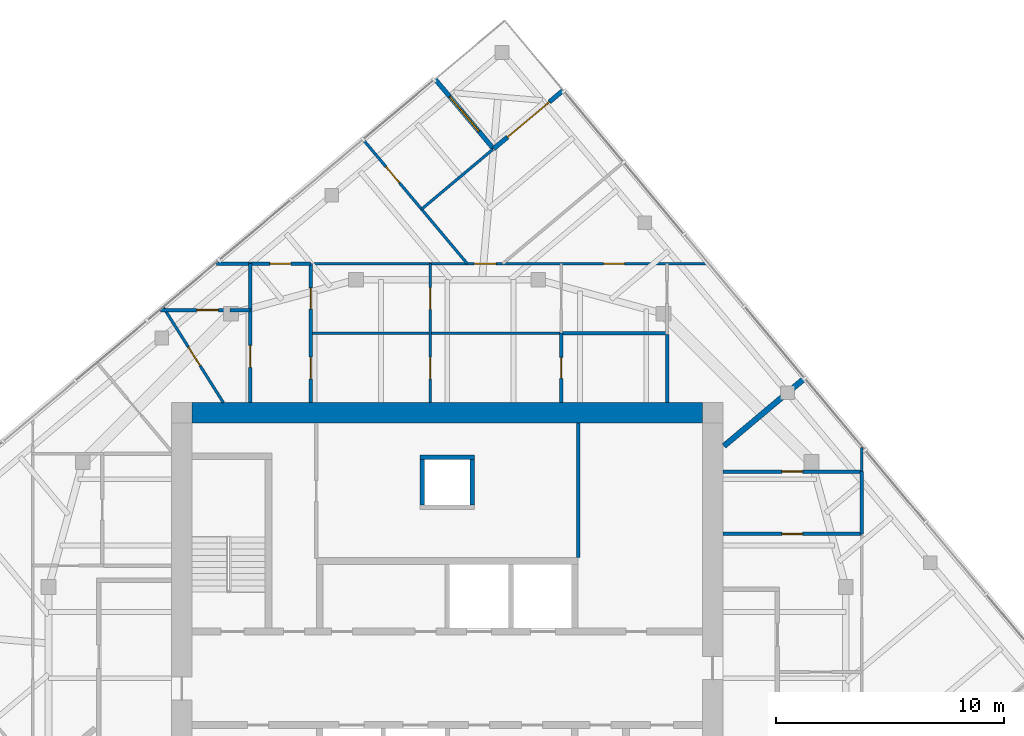
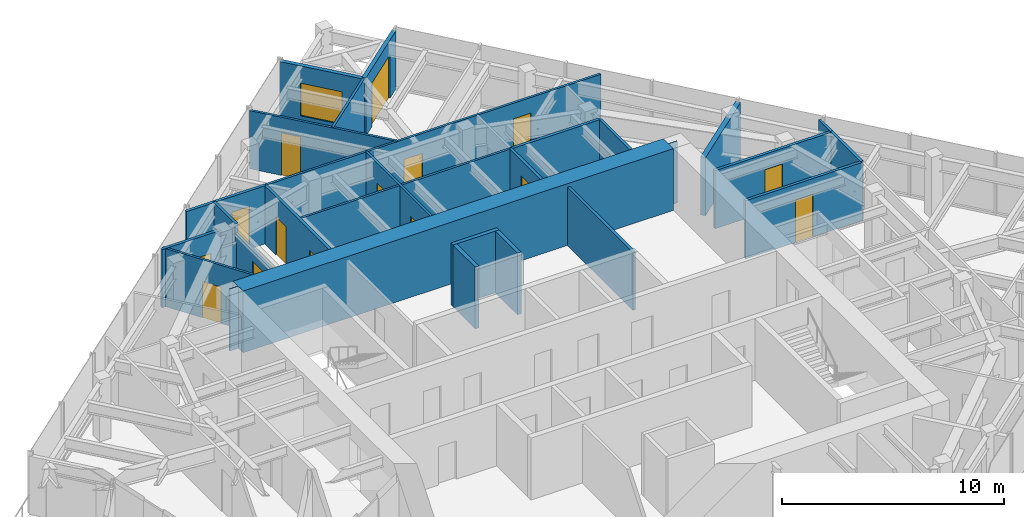
# One storey, part 10 of 12: 27 walls, 15 doors, 1 window, 16 openings.
"""IFC4 building model written with IfcOpenShell, lengths in metres."""

from ifc_helpers import new_model, si_unit, direction, frame, frame_2d, origin, place, context, subcontext, project, spatial, polyline, rectangle, outline, extrude, material, layer, layer_set, type_object, element, fill, save


model = new_model("IFC4")

# Units and contexts
model_context = context("Model", 3, precision=1e-05, world=origin(), true_north=direction((0.0, 1.0)))
body_context = subcontext(model_context, "Body", "Model", "MODEL_VIEW")
ifc_project = project(units=[si_unit("LENGTHUNIT", "METRE"), si_unit("AREAUNIT", "SQUARE_METRE"), si_unit("VOLUMEUNIT", "CUBIC_METRE"), si_unit("PLANEANGLEUNIT", "RADIAN"), si_unit("MASSUNIT", "GRAM", prefix="KILO")], contexts=[model_context])

# Site, building, storey
site_placement = place(None, origin())
site = spatial("IfcSite", under=ifc_project, at=site_placement, CompositionType="ELEMENT")
building_placement = place(site_placement, origin())
building = spatial("IfcBuilding", under=site, at=building_placement, Name="Torsade Residences", CompositionType="ELEMENT")
storey_placement = place(building_placement, frame((0.0, 0.0, 296.39990234375)))
storey = spatial("IfcBuildingStorey", under=building, at=storey_placement, Name="L82", CompositionType="ELEMENT", Elevation=296.39990234375)

# Walls
ifc_material_1 = material(Name="Concrete 80 MPa", Category="concrete")
ifc_layer_1 = layer(ifc_material_1, 0.89990234375)
ifc_layer_set_1 = layer_set([ifc_layer_1], Name="Concrete 80 MPa")
wall_type_1 = type_object("IfcWallType", Name="CORE WALL 900", PredefinedType="SHEAR", material=ifc_layer_set_1)
wall_1_placement = place(storey_placement, frame((28.800048828125, 41.64990234375, 0.0), z_axis=(0.0, 0.0, 1.0), x_axis=(1.0, 0.0, 0.0)))
element("IfcWall", 1, at=wall_1_placement, inside=storey, type_object=wall_type_1, Name="Core wall N L82", PredefinedType="SHEAR", context=body_context, shape_type="SweptSolid", body=[
    extrude(outline(polyline([(0.0, -0.449951171875), (22.39990234375, -0.449951171875), (22.39990234375, -0.02490234375), (22.849853515625, -0.02490234375), (22.849853515625, 0.02490234375), (22.39990234375, 0.02490234375), (22.39990234375, 0.449951171875), (0.0, 0.449951171875), (0.0, 0.02490234375), (-0.449951171875, 0.02490234375), (-0.449951171875, -0.02490234375), (0.0, -0.02490234375), (0.0, -0.449951171875)])), origin(), (0.0, 0.0, 1.0), 3.400146484375),
])
ifc_material_2 = material(Name="Plasterboard on steel stud", Category="steel")
ifc_layer_2 = layer(ifc_material_2, 0.1201171875)
ifc_layer_set_2 = layer_set([ifc_layer_2], Name="Plasterboard on steel stud")
wall_type_2 = type_object("IfcWallType", Name="PARTITION 120", PredefinedType="PARTITIONING", material=ifc_layer_set_2)
wall_2_placement = place(storey_placement, frame((58.199951171875, 40.14013671875, 0.0), z_axis=(0.0, 0.0, 1.0), x_axis=(0.0, -1.0, 0.0)))
element("IfcWall", 2, at=wall_2_placement, inside=storey, type_object=wall_type_2, Name="Partition L82", PredefinedType="PARTITIONING", context=body_context, shape_type="SweptSolid", body=[
    extrude(rectangle(XDim=1.064453125, YDim=0.1201171875, at=frame_2d((0.5322265625, 0.0))), origin(), (0.0, 0.0, 1.0), 3.2001953125),
])
wall_3_placement = place(storey_placement, frame((34.00048828125, 45.14990234375, 0.0), z_axis=(0.0, 0.0, 1.0), x_axis=(1.0, 0.0, 0.0)))
element("IfcWall", 3, at=wall_3_placement, inside=storey, type_object=wall_type_2, Name="Partition L82", PredefinedType="PARTITIONING", context=body_context, shape_type="SweptSolid", body=[
    extrude(rectangle(XDim=11.0029296875, YDim=0.1201171875, at=frame_2d((5.50146484375, 0.0))), origin(), (0.0, 0.0, 1.0), 3.2001953125),
])

# Wall, openings, doors
wall_4_placement = place(storey_placement, frame((39.260498046875, 48.199951171875, 0.0), z_axis=(0.0, 0.0, 1.0), x_axis=(0.0, -1.0, 0.0)))
wall_4 = element("IfcWall", 4, at=wall_4_placement, inside=storey, type_object=wall_type_2, Name="Partition L82", PredefinedType="PARTITIONING", context=body_context, shape_type="SweptSolid", body=[
    extrude(rectangle(XDim=6.099853515625, YDim=0.1201171875, at=frame_2d((3.0498046875, 0.0))), origin(), (0.0, 0.0, 1.0), 3.2001953125),
])
opening_1_placement = place(wall_4_placement, frame((1.044921875, 0.0, 0.0)))
opening_1 = element("IfcOpeningElement", 5, at=opening_1_placement, cuts=wall_4, Name="Opening D05", PredefinedType="OPENING", context=body_context, shape_type="SweptSolid", body=[
    extrude(rectangle(XDim=0.9599609375, YDim=2.10009765625, at=frame_2d((0.47998046875, 1.050048828125))), frame((0.0, 0.070068359375, 0.0), z_axis=(0.0, -1.0, 0.0), x_axis=(1.0, 0.0, 0.0)), (0.0, 0.0, 1.0), 0.14013671875),
])
opening_2_placement = place(wall_4_placement, frame((4.094970703125, 0.0, 0.0)))
opening_2 = element("IfcOpeningElement", 6, at=opening_2_placement, cuts=wall_4, Name="Opening D05", PredefinedType="OPENING", context=body_context, shape_type="SweptSolid", body=[
    extrude(rectangle(XDim=0.9599609375, YDim=2.10009765625, at=frame_2d((0.47998046875, 1.050048828125))), frame((0.0, 0.070068359375, 0.0), z_axis=(0.0, -1.0, 0.0), x_axis=(1.0, 0.0, 0.0)), (0.0, 0.0, 1.0), 0.14013671875),
])
ifc_material_3 = material(Name="Hollow-core timber door in a steel cavity frame", Category="steel")
door_type_1 = type_object("IfcDoorType", Name="BATHROOM CAVITY SLIDING DOOR 960", OperationType="SLIDING_TO_LEFT", PredefinedType="DOOR", material=ifc_material_3)
door_1_placement = place(opening_1_placement, origin())
door_1 = element("IfcDoor", 7, at=door_1_placement, inside=storey, type_object=door_type_1, Name="Door Dressing room to Ensuite", OperationType="SLIDING_TO_LEFT", OverallHeight=2.10009765625, OverallWidth=0.9599609375, PredefinedType="DOOR", context=body_context, shape_type="SweptSolid", body=[
    extrude(rectangle(XDim=0.9599609375, YDim=2.10009765625, at=frame_2d((0.47998046875, 1.050048828125))), frame((0.0, 0.02490234375, 0.0), z_axis=(0.0, -1.0, 0.0), x_axis=(1.0, 0.0, 0.0)), (0.0, 0.0, 1.0), 0.050048828125),
])
fill(opening_1, door_1)
door_2_placement = place(opening_2_placement, origin())
door_2 = element("IfcDoor", 8, at=door_2_placement, inside=storey, type_object=door_type_1, Name="Door Bathroom to Dressing room 4", OperationType="SLIDING_TO_LEFT", OverallHeight=2.10009765625, OverallWidth=0.9599609375, PredefinedType="DOOR", context=body_context, shape_type="SweptSolid", body=[
    extrude(rectangle(XDim=0.9599609375, YDim=2.10009765625, at=frame_2d((0.47998046875, 1.050048828125))), frame((0.0, 0.02490234375, 0.0), z_axis=(0.0, -1.0, 0.0), x_axis=(1.0, 0.0, 0.0)), (0.0, 0.0, 1.0), 0.050048828125),
])
fill(opening_2, door_2)

wall_5_placement = place(storey_placement, frame((34.00048828125, 48.199951171875, 0.0), z_axis=(0.0, 0.0, 1.0), x_axis=(1.0, 0.0, 0.0)))
wall_5 = element("IfcWall", 9, at=wall_5_placement, inside=storey, type_object=wall_type_2, Name="Partition L82", PredefinedType="PARTITIONING", context=body_context, shape_type="SweptSolid", body=[
    extrude(rectangle(XDim=17.4365234375, YDim=0.1201171875, at=frame_2d((8.71826171875, 0.0))), origin(), (0.0, 0.0, 1.0), 3.2001953125),
])
opening_3_placement = place(wall_5_placement, frame((7.18603515625, 0.0, 0.0)))
opening_3 = element("IfcOpeningElement", 10, at=opening_3_placement, cuts=wall_5, Name="Opening D05", PredefinedType="OPENING", context=body_context, shape_type="SweptSolid", body=[
    extrude(rectangle(XDim=0.9599609375, YDim=2.10009765625, at=frame_2d((0.47998046875, 1.050048828125))), frame((0.0, 0.070068359375, 0.0), z_axis=(0.0, -1.0, 0.0), x_axis=(1.0, 0.0, 0.0)), (0.0, 0.0, 1.0), 0.14013671875),
])
opening_4_placement = place(wall_5_placement, frame((12.8671875, 0.0, 0.0)))
opening_4 = element("IfcOpeningElement", 11, at=opening_4_placement, cuts=wall_5, Name="Opening D02", PredefinedType="OPENING", context=body_context, shape_type="SweptSolid", body=[
    extrude(rectangle(XDim=0.919921875, YDim=2.340087890625, at=frame_2d((0.4599609375, 1.169921875))), frame((0.0, 0.070068359375, 0.0), z_axis=(0.0, -1.0, 0.0), x_axis=(1.0, 0.0, 0.0)), (0.0, 0.0, 1.0), 0.14013671875),
])
door_3_placement = place(opening_3_placement, origin())
door_3 = element("IfcDoor", 12, at=door_3_placement, inside=storey, type_object=door_type_1, Name="Door Ensuite to Bedroom 2", OperationType="SLIDING_TO_LEFT", OverallHeight=2.10009765625, OverallWidth=0.9599609375, PredefinedType="DOOR", context=body_context, shape_type="SweptSolid", body=[
    extrude(rectangle(XDim=0.9599609375, YDim=2.10009765625, at=frame_2d((0.47998046875, 1.050048828125))), frame((0.0, 0.02490234375, 0.0), z_axis=(0.0, -1.0, 0.0), x_axis=(1.0, 0.0, 0.0)), (0.0, 0.0, 1.0), 0.050048828125),
])
fill(opening_3, door_3)
ifc_material_4 = material(Name="Hollow-core timber door", Category="wood")
door_type_2 = type_object("IfcDoorType", Name="INTERNAL DOOR 920x2340", OperationType="NOTDEFINED", PredefinedType="DOOR", material=ifc_material_4)
door_4_placement = place(opening_4_placement, origin())
door_4 = element("IfcDoor", 13, at=door_4_placement, inside=storey, type_object=door_type_2, Name="Door Walk-in robe to Bedroom 4", OperationType="SINGLE_SWING_LEFT", OverallHeight=2.340087890625, OverallWidth=0.919921875, PredefinedType="DOOR", context=body_context, shape_type="SweptSolid", body=[
    extrude(rectangle(XDim=0.919921875, YDim=2.340087890625, at=frame_2d((0.4599609375, 1.169921875))), frame((0.0, 0.02490234375, 0.0), z_axis=(0.0, -1.0, 0.0), x_axis=(1.0, 0.0, 0.0)), (0.0, 0.0, 1.0), 0.050048828125),
])
fill(opening_4, door_4)

# Wall, opening, door
wall_6_placement = place(storey_placement, frame((30.171875, 42.10009765625, 0.0), z_axis=(0.0, 0.0, 1.0), x_axis=(-0.532913303443, 0.846169847616, 0.0)))
wall_6 = element("IfcWall", 14, at=wall_6_placement, inside=storey, type_object=wall_type_2, Name="Partition L82", PredefinedType="PARTITIONING", context=body_context, shape_type="SweptSolid", body=[
    extrude(rectangle(XDim=4.91943359375, YDim=0.1201171875, at=frame_2d((2.459716796875, 0.0))), origin(), (0.0, 0.0, 1.0), 3.2001953125),
])
opening_5_placement = place(wall_6_placement, frame((1.923095703125, 0.0, 0.0)))
opening_5 = element("IfcOpeningElement", 15, at=opening_5_placement, cuts=wall_6, Name="Opening D05N", PredefinedType="OPENING", context=body_context, shape_type="SweptSolid", body=[
    extrude(rectangle(XDim=0.9599609375, YDim=2.0, at=frame_2d((0.47998046875, 1.0))), frame((0.0, 0.070068359375, 0.0), z_axis=(0.0, -1.0, 0.0), x_axis=(1.0, 0.0, 0.0)), (0.0, 0.0, 1.0), 0.14013671875),
])
ifc_material_5 = material(Name="Hollow-core timber door in a steel cavity frame", Category="steel")
door_type_3 = type_object("IfcDoorType", Name="BATHROOM CAVITY SLIDING DOOR 960x2000", OperationType="SLIDING_TO_LEFT", PredefinedType="DOOR", material=ifc_material_5)
door_5_placement = place(opening_5_placement, origin())
door_5 = element("IfcDoor", 16, at=door_5_placement, inside=storey, type_object=door_type_3, Name="Door WC 2 to WC", OperationType="SLIDING_TO_LEFT", OverallHeight=2.0, OverallWidth=0.9599609375, PredefinedType="DOOR", context=body_context, shape_type="SweptSolid", body=[
    extrude(rectangle(XDim=0.9599609375, YDim=2.0, at=frame_2d((0.47998046875, 1.0))), frame((0.0, 0.02490234375, 0.0), z_axis=(0.0, -1.0, 0.0), x_axis=(1.0, 0.0, 0.0)), (0.0, 0.0, 1.0), 0.050048828125),
])
fill(opening_5, door_5)

wall_7_placement = place(storey_placement, frame((40.8828125, 48.199951171875, 0.0), z_axis=(0.0, 0.0, 1.0), x_axis=(-0.642790379821, 0.766042118691, 0.0)))
wall_7 = element("IfcWall", 17, at=wall_7_placement, inside=storey, type_object=wall_type_2, Name="Partition L82", PredefinedType="PARTITIONING", context=body_context, shape_type="SweptSolid", body=[
    extrude(rectangle(XDim=7.08544921875, YDim=0.1201171875, at=frame_2d((3.542724609375, 0.0))), origin(), (0.0, 0.0, 1.0), 3.2001953125),
])
opening_6_placement = place(wall_7_placement, frame((4.640380859375, 0.0, 0.0)))
opening_6 = element("IfcOpeningElement", 18, at=opening_6_placement, cuts=wall_7, Name="Opening D02", PredefinedType="OPENING", context=body_context, shape_type="SweptSolid", body=[
    extrude(rectangle(XDim=0.919921875, YDim=2.340087890625, at=frame_2d((0.4599609375, 1.169921875))), frame((0.0, 0.070068359375, 0.0), z_axis=(0.0, -1.0, 0.0), x_axis=(1.0, 0.0, 0.0)), (0.0, 0.0, 1.0), 0.14013671875),
])
door_6_placement = place(opening_6_placement, origin())
door_6 = element("IfcDoor", 19, at=door_6_placement, inside=storey, type_object=door_type_2, Name="Door Bedroom 3 to Bedroom 5", OperationType="SINGLE_SWING_LEFT", OverallHeight=2.340087890625, OverallWidth=0.919921875, PredefinedType="DOOR", context=body_context, shape_type="SweptSolid", body=[
    extrude(rectangle(XDim=0.919921875, YDim=2.340087890625, at=frame_2d((0.4599609375, 1.169921875))), frame((0.0, 0.02490234375, 0.0), z_axis=(0.0, -1.0, 0.0), x_axis=(1.0, 0.0, 0.0)), (0.0, 0.0, 1.0), 0.050048828125),
])
fill(opening_6, door_6)

# Walls
wall_8_placement = place(storey_placement, frame((38.873779296875, 50.59423828125, 0.0), z_axis=(0.0, 0.0, 1.0), x_axis=(0.766061483953, 0.642767300664, 0.0)))
element("IfcWall", 20, at=wall_8_placement, inside=storey, type_object=wall_type_2, Name="Partition L82", PredefinedType="PARTITIONING", context=body_context, shape_type="SweptSolid", body=[
    extrude(rectangle(XDim=4.0849609375, YDim=0.1201171875, at=frame_2d((2.04248046875, 0.0))), origin(), (0.0, 0.0, 1.0), 3.2001953125),
])
ifc_material_6 = material(Name="Masonry-lined stud party wall", Category="masonry")
ifc_layer_3 = layer(ifc_material_6, 0.25)
ifc_layer_set_3 = layer_set([ifc_layer_3], Name="Masonry-lined stud party wall")
wall_type_3 = type_object("IfcWallType", Name="PARTY WALL 250", PredefinedType="PARTITIONING", material=ifc_layer_set_3)
wall_9_placement = place(storey_placement, frame((55.703857421875, 43.17724609375, 0.0), z_axis=(0.0, 0.0, 1.0), x_axis=(-0.76603440109, -0.64279957712, 0.0)))
element("IfcWall", 21, at=wall_9_placement, inside=storey, type_object=wall_type_3, Name="Party wall L82", PredefinedType="PARTITIONING", context=body_context, shape_type="SweptSolid", body=[
    extrude(rectangle(XDim=4.6396484375, YDim=0.25, at=frame_2d((2.31982421875, 0.0))), origin(), (0.0, 0.0, 1.0), 3.2001953125),
])
ifc_material_7 = material(Name="Reinforced blockwork", Category="masonry")
ifc_layer_4 = layer(ifc_material_7, 0.199951171875)
ifc_layer_set_4 = layer_set([ifc_layer_4], Name="Reinforced blockwork")
wall_type_4 = type_object("IfcWallType", Name="RISER SHAFT WALL 200", PredefinedType="SOLIDWALL", material=ifc_layer_set_4)
for number, where, z_axis, x_axis, name in (
    (22, (38.89990234375, 37.60009765625, 0.0), (0.0, 0.0, 1.0), (0.0, 1.0, 0.0), "Core wall RS1a L82"),
    (23, (41.10009765625, 37.60009765625, 0.0), (0.0, 0.0, 1.0), (0.0, 1.0, 0.0), "Core wall RS1b L82"),
):
    element("IfcWall", number, at=place(storey_placement, frame(where, z_axis=z_axis, x_axis=x_axis)), inside=storey, type_object=wall_type_4, Name=name, PredefinedType="SOLIDWALL", context=body_context, shape_type="SweptSolid", body=[
        extrude(rectangle(XDim=2.0, YDim=0.199951171875, at=frame_2d((1.0, 0.0))), origin(), (0.0, 0.0, 1.0), 3.400146484375),
    ])
wall_10_placement = place(storey_placement, frame((38.800048828125, 39.699951171875, 0.0), z_axis=(0.0, 0.0, 1.0), x_axis=(1.0, 0.0, 0.0)))
element("IfcWall", 24, at=wall_10_placement, inside=storey, type_object=wall_type_4, Name="Core wall RS1d L82", PredefinedType="SOLIDWALL", context=body_context, shape_type="SweptSolid", body=[
    extrude(rectangle(XDim=2.39990234375, YDim=0.199951171875, at=frame_2d((1.199951171875, 0.0))), origin(), (0.0, 0.0, 1.0), 3.400146484375),
])
ifc_material_8 = material(Name="Reinforced blockwork", Category="masonry")
ifc_layer_5 = layer(ifc_material_8, 0.14990234375)
ifc_layer_set_5 = layer_set([ifc_layer_5], Name="Reinforced blockwork")
wall_type_5 = type_object("IfcWallType", Name="SERVICE ROOM WALL 150", PredefinedType="SOLIDWALL", material=ifc_layer_set_5)
wall_11_placement = place(storey_placement, frame((45.75, 41.199951171875, 0.0), z_axis=(0.0, 0.0, 1.0), x_axis=(0.0, -1.0, 0.0)))
element("IfcWall", 25, at=wall_11_placement, inside=storey, type_object=wall_type_5, Name="Service room wall L82", PredefinedType="SOLIDWALL", context=body_context, shape_type="SweptSolid", body=[
    extrude(rectangle(XDim=5.89990234375, YDim=0.14990234375, at=frame_2d((2.949951171875, 0.0))), origin(), (0.0, 0.0, 1.0), 3.2001953125),
])

# Wall, opening, door
wall_12_placement = place(storey_placement, frame((52.10009765625, 36.33544921875, 0.0), z_axis=(0.0, 0.0, 1.0), x_axis=(1.0, 0.0, 0.0)))
wall_12 = element("IfcWall", 26, at=wall_12_placement, inside=storey, type_object=wall_type_5, Name="Service room wall L82", PredefinedType="SOLIDWALL", context=body_context, shape_type="SweptSolid", body=[
    extrude(rectangle(XDim=6.099853515625, YDim=0.14990234375, at=frame_2d((3.0498046875, 0.0))), origin(), (0.0, 0.0, 1.0), 3.2001953125),
])
opening_7_placement = place(wall_12_placement, frame((2.590087890625, 0.0, 0.0)))
opening_7 = element("IfcOpeningElement", 27, at=opening_7_placement, cuts=wall_12, Name="Opening D02", PredefinedType="OPENING", context=body_context, shape_type="SweptSolid", body=[
    extrude(rectangle(XDim=0.919921875, YDim=2.340087890625, at=frame_2d((0.4599609375, 1.169921875))), frame((0.0, 0.0849609375, 0.0), z_axis=(0.0, -1.0, 0.0), x_axis=(1.0, 0.0, 0.0)), (0.0, 0.0, 1.0), 0.169921875),
])
door_7_placement = place(opening_7_placement, origin())
door_7 = element("IfcDoor", 28, at=door_7_placement, inside=storey, type_object=door_type_2, Name="Door Kitchen and dining to Linen store 2", OperationType="SINGLE_SWING_RIGHT", OverallHeight=2.340087890625, OverallWidth=0.919921875, PredefinedType="DOOR", context=body_context, shape_type="SweptSolid", body=[
    extrude(rectangle(XDim=0.919921875, YDim=2.340087890625, at=frame_2d((0.4599609375, 1.169921875))), frame((0.0, 0.02490234375, 0.0), z_axis=(0.0, -1.0, 0.0), x_axis=(1.0, 0.0, 0.0)), (0.0, 0.0, 1.0), 0.050048828125),
])
fill(opening_7, door_7)

wall_13_placement = place(storey_placement, frame((58.199951171875, 39.07568359375, 0.0), z_axis=(0.0, 0.0, 1.0), x_axis=(-1.0, 0.0, 0.0)))
wall_13 = element("IfcWall", 29, at=wall_13_placement, inside=storey, type_object=wall_type_5, Name="Service room wall L82", PredefinedType="SOLIDWALL", context=body_context, shape_type="SweptSolid", body=[
    extrude(rectangle(XDim=6.099853515625, YDim=0.14990234375, at=frame_2d((3.0498046875, 0.0))), origin(), (0.0, 0.0, 1.0), 3.2001953125),
])
opening_8_placement = place(wall_13_placement, frame((2.590087890625, 0.0, 0.0)))
opening_8 = element("IfcOpeningElement", 30, at=opening_8_placement, cuts=wall_13, Name="Opening D02", PredefinedType="OPENING", context=body_context, shape_type="SweptSolid", body=[
    extrude(rectangle(XDim=0.919921875, YDim=2.340087890625, at=frame_2d((0.4599609375, 1.169921875))), frame((0.0, 0.0849609375, 0.0), z_axis=(0.0, -1.0, 0.0), x_axis=(1.0, 0.0, 0.0)), (0.0, 0.0, 1.0), 0.169921875),
])
door_8_placement = place(opening_8_placement, origin())
door_8 = element("IfcDoor", 31, at=door_8_placement, inside=storey, type_object=door_type_2, Name="Door Linen store 2 to Study", OperationType="SINGLE_SWING_LEFT", OverallHeight=2.340087890625, OverallWidth=0.919921875, PredefinedType="DOOR", context=body_context, shape_type="SweptSolid", body=[
    extrude(rectangle(XDim=0.919921875, YDim=2.340087890625, at=frame_2d((0.4599609375, 1.169921875))), frame((0.0, 0.02490234375, 0.0), z_axis=(0.0, -1.0, 0.0), x_axis=(1.0, 0.0, 0.0)), (0.0, 0.0, 1.0), 0.050048828125),
])
fill(opening_8, door_8)

# Wall
wall_14_placement = place(storey_placement, frame((58.199951171875, 39.07568359375, 0.0), z_axis=(0.0, 0.0, 1.0), x_axis=(0.0, -1.0, 0.0)))
element("IfcWall", 32, at=wall_14_placement, inside=storey, type_object=wall_type_5, Name="Service room wall L82", PredefinedType="SOLIDWALL", context=body_context, shape_type="SweptSolid", body=[
    extrude(rectangle(XDim=2.740234375, YDim=0.14990234375, at=frame_2d((1.3701171875, 0.0))), origin(), (0.0, 0.0, 1.0), 3.2001953125),
])

# Wall, openings, doors
wall_15_placement = place(storey_placement, frame((34.00048828125, 42.10009765625, 0.0), z_axis=(0.0, 0.0, 1.0), x_axis=(0.0, 1.0, 0.0)))
wall_15 = element("IfcWall", 33, at=wall_15_placement, inside=storey, type_object=wall_type_5, Name="Service room wall L82", PredefinedType="SOLIDWALL", context=body_context, shape_type="SweptSolid", body=[
    extrude(rectangle(XDim=6.099853515625, YDim=0.14990234375, at=frame_2d((3.0498046875, 0.0))), origin(), (0.0, 0.0, 1.0), 3.2001953125),
])
opening_9_placement = place(wall_15_placement, frame((4.114990234375, 0.0, 0.0)))
opening_9 = element("IfcOpeningElement", 34, at=opening_9_placement, cuts=wall_15, Name="Opening D02L", PredefinedType="OPENING", context=body_context, shape_type="SweptSolid", body=[
    extrude(rectangle(XDim=0.919921875, YDim=2.10009765625, at=frame_2d((0.4599609375, 1.050048828125))), frame((0.0, 0.0849609375, 0.0), z_axis=(0.0, -1.0, 0.0), x_axis=(1.0, 0.0, 0.0)), (0.0, 0.0, 1.0), 0.169921875),
])
opening_10_placement = place(wall_15_placement, frame((1.044921875, 0.0, 0.0)))
opening_10 = element("IfcOpeningElement", 35, at=opening_10_placement, cuts=wall_15, Name="Opening D05", PredefinedType="OPENING", context=body_context, shape_type="SweptSolid", body=[
    extrude(rectangle(XDim=0.9599609375, YDim=2.10009765625, at=frame_2d((0.47998046875, 1.050048828125))), frame((0.0, 0.0849609375, 0.0), z_axis=(0.0, -1.0, 0.0), x_axis=(1.0, 0.0, 0.0)), (0.0, 0.0, 1.0), 0.169921875),
])
door_9_placement = place(opening_10_placement, origin())
door_9 = element("IfcDoor", 36, at=door_9_placement, inside=storey, type_object=door_type_1, Name="Door Linen store to Bathroom", OperationType="SLIDING_TO_LEFT", OverallHeight=2.10009765625, OverallWidth=0.9599609375, PredefinedType="DOOR", context=body_context, shape_type="SweptSolid", body=[
    extrude(rectangle(XDim=0.9599609375, YDim=2.10009765625, at=frame_2d((0.47998046875, 1.050048828125))), frame((0.0, 0.02490234375, 0.0), z_axis=(0.0, -1.0, 0.0), x_axis=(1.0, 0.0, 0.0)), (0.0, 0.0, 1.0), 0.050048828125),
])
fill(opening_10, door_9)
ifc_material_9 = material(Name="Hollow-core timber door", Category="wood")
door_type_4 = type_object("IfcDoorType", Name="INTERNAL DOOR 920x2100", OperationType="NOTDEFINED", PredefinedType="DOOR", material=ifc_material_9)
door_10_placement = place(opening_9_placement, origin())
door_10 = element("IfcDoor", 37, at=door_10_placement, inside=storey, type_object=door_type_4, Name="Door Linen store to Dressing room", OperationType="SINGLE_SWING_RIGHT", OverallHeight=2.10009765625, OverallWidth=0.919921875, PredefinedType="DOOR", context=body_context, shape_type="SweptSolid", body=[
    extrude(rectangle(XDim=0.919921875, YDim=2.10009765625, at=frame_2d((0.4599609375, 1.050048828125))), frame((0.0, 0.02490234375, 0.0), z_axis=(0.0, -1.0, 0.0), x_axis=(1.0, 0.0, 0.0)), (0.0, 0.0, 1.0), 0.050048828125),
])
fill(opening_9, door_10)

# Wall
wall_16_placement = place(storey_placement, frame((31.34423828125, 48.199951171875, 0.0), z_axis=(0.0, 0.0, 1.0), x_axis=(0.0, -1.0, 0.0)))
element("IfcWall", 38, at=wall_16_placement, inside=storey, type_object=wall_type_5, Name="Service room wall L82", PredefinedType="SOLIDWALL", context=body_context, shape_type="SweptSolid", body=[
    extrude(rectangle(XDim=1.991943359375, YDim=0.14990234375, at=frame_2d((0.99609375, 0.0))), origin(), (0.0, 0.0, 1.0), 3.2001953125),
])

# Wall, opening, door
wall_17_placement = place(storey_placement, frame((31.34423828125, 46.2080078125, 0.0), z_axis=(0.0, 0.0, 1.0), x_axis=(0.0, -1.0, 0.0)))
wall_17 = element("IfcWall", 39, at=wall_17_placement, inside=storey, type_object=wall_type_5, Name="Service room wall L82", PredefinedType="SOLIDWALL", context=body_context, shape_type="SweptSolid", body=[
    extrude(rectangle(XDim=4.10791015625, YDim=0.14990234375, at=frame_2d((2.053955078125, 0.0))), origin(), (0.0, 0.0, 1.0), 2.672119140625),
])
opening_11_placement = place(wall_17_placement, frame((1.5947265625, 0.0, 0.0)))
opening_11 = element("IfcOpeningElement", 40, at=opening_11_placement, cuts=wall_17, Name="Opening D05", PredefinedType="OPENING", context=body_context, shape_type="SweptSolid", body=[
    extrude(rectangle(XDim=0.9599609375, YDim=2.10009765625, at=frame_2d((0.47998046875, 1.050048828125))), frame((0.0, 0.0849609375, 0.0), z_axis=(0.0, -1.0, 0.0), x_axis=(1.0, 0.0, 0.0)), (0.0, 0.0, 1.0), 0.169921875),
])
door_11_placement = place(opening_11_placement, origin())
door_11 = element("IfcDoor", 41, at=door_11_placement, inside=storey, type_object=door_type_1, Name="Door WC to Linen store", OperationType="SLIDING_TO_LEFT", OverallHeight=2.10009765625, OverallWidth=0.9599609375, PredefinedType="DOOR", context=body_context, shape_type="SweptSolid", body=[
    extrude(rectangle(XDim=0.9599609375, YDim=2.10009765625, at=frame_2d((0.47998046875, 1.050048828125))), frame((0.0, 0.02490234375, 0.0), z_axis=(0.0, -1.0, 0.0), x_axis=(1.0, 0.0, 0.0)), (0.0, 0.0, 1.0), 0.050048828125),
])
fill(opening_11, door_11)

wall_18_placement = place(storey_placement, frame((27.414306640625, 46.166748046875, 0.0), z_axis=(0.0, 0.0, 1.0), x_axis=(1.0, 0.0, 0.0)))
wall_18 = element("IfcWall", 42, at=wall_18_placement, inside=storey, type_object=wall_type_5, Name="Service room wall L82", PredefinedType="SOLIDWALL", context=body_context, shape_type="SweptSolid", body=[
    extrude(rectangle(XDim=3.046142578125, YDim=0.14990234375, at=frame_2d((1.52294921875, 0.0))), origin(), (0.0, 0.0, 1.0), 3.2001953125),
])
opening_12_placement = place(wall_18_placement, frame((1.583251953125, 0.0, 0.0)))
opening_12 = element("IfcOpeningElement", 43, at=opening_12_placement, cuts=wall_18, Name="Opening D05", PredefinedType="OPENING", context=body_context, shape_type="SweptSolid", body=[
    extrude(rectangle(XDim=0.9599609375, YDim=2.10009765625, at=frame_2d((0.47998046875, 1.050048828125))), frame((0.0, 0.0849609375, 0.0), z_axis=(0.0, -1.0, 0.0), x_axis=(1.0, 0.0, 0.0)), (0.0, 0.0, 1.0), 0.169921875),
])
door_12_placement = place(opening_12_placement, origin())
door_12 = element("IfcDoor", 44, at=door_12_placement, inside=storey, type_object=door_type_1, Name="Door WC to Linen store 4", OperationType="SLIDING_TO_LEFT", OverallHeight=2.10009765625, OverallWidth=0.9599609375, PredefinedType="DOOR", context=body_context, shape_type="SweptSolid", body=[
    extrude(rectangle(XDim=0.9599609375, YDim=2.10009765625, at=frame_2d((0.47998046875, 1.050048828125))), frame((0.0, 0.02490234375, 0.0), z_axis=(0.0, -1.0, 0.0), x_axis=(1.0, 0.0, 0.0)), (0.0, 0.0, 1.0), 0.050048828125),
])
fill(opening_12, door_12)

# Wall
wall_19_placement = place(storey_placement, frame((30.46044921875, 46.166748046875, 0.0), z_axis=(0.0, 0.0, 1.0), x_axis=(1.0, 0.0, 0.0)))
element("IfcWall", 45, at=wall_19_placement, inside=storey, type_object=wall_type_5, Name="Service room wall L82", PredefinedType="SOLIDWALL", context=body_context, shape_type="SweptSolid", body=[
    extrude(rectangle(XDim=0.8837890625, YDim=0.14990234375, at=frame_2d((0.44189453125, 0.0))), origin(), (0.0, 0.0, 1.0), 2.2001953125),
])

# Wall, opening, door
wall_20_placement = place(storey_placement, frame((29.85986328125, 48.199951171875, 0.0), z_axis=(0.0, 0.0, 1.0), x_axis=(1.0, 0.0, 0.0)))
wall_20 = element("IfcWall", 46, at=wall_20_placement, inside=storey, type_object=wall_type_5, Name="Service room wall L82", PredefinedType="SOLIDWALL", context=body_context, shape_type="SweptSolid", body=[
    extrude(rectangle(XDim=4.140625, YDim=0.14990234375, at=frame_2d((2.0703125, 0.0))), origin(), (0.0, 0.0, 1.0), 3.2001953125),
])
opening_13_placement = place(wall_20_placement, frame((2.3525390625, 0.0, 0.0)))
opening_13 = element("IfcOpeningElement", 47, at=opening_13_placement, cuts=wall_20, Name="Opening D02", PredefinedType="OPENING", context=body_context, shape_type="SweptSolid", body=[
    extrude(rectangle(XDim=0.919921875, YDim=2.340087890625, at=frame_2d((0.4599609375, 1.169921875))), frame((0.0, 0.0849609375, 0.0), z_axis=(0.0, -1.0, 0.0), x_axis=(1.0, 0.0, 0.0)), (0.0, 0.0, 1.0), 0.169921875),
])
door_13_placement = place(opening_13_placement, origin())
door_13 = element("IfcDoor", 48, at=door_13_placement, inside=storey, type_object=door_type_2, Name="Door Linen store to Bedroom 3", OperationType="SINGLE_SWING_RIGHT", OverallHeight=2.340087890625, OverallWidth=0.919921875, PredefinedType="DOOR", context=body_context, shape_type="SweptSolid", body=[
    extrude(rectangle(XDim=0.919921875, YDim=2.340087890625, at=frame_2d((0.4599609375, 1.169921875))), frame((0.0, 0.02490234375, 0.0), z_axis=(0.0, -1.0, 0.0), x_axis=(1.0, 0.0, 0.0)), (0.0, 0.0, 1.0), 0.050048828125),
])
fill(opening_13, door_13)

wall_21_placement = place(storey_placement, frame((45.00341796875, 45.14990234375, 0.0), z_axis=(0.0, 0.0, 1.0), x_axis=(0.0, -1.0, 0.0)))
wall_21 = element("IfcWall", 49, at=wall_21_placement, inside=storey, type_object=wall_type_5, Name="Service room wall L82", PredefinedType="SOLIDWALL", context=body_context, shape_type="SweptSolid", body=[
    extrude(rectangle(XDim=3.0498046875, YDim=0.14990234375, at=frame_2d((1.52490234375, 0.0))), origin(), (0.0, 0.0, 1.0), 3.2001953125),
])
opening_14_placement = place(wall_21_placement, frame((1.06494140625, 0.0, 0.0)))
opening_14 = element("IfcOpeningElement", 50, at=opening_14_placement, cuts=wall_21, Name="Opening D02", PredefinedType="OPENING", context=body_context, shape_type="SweptSolid", body=[
    extrude(rectangle(XDim=0.919921875, YDim=2.340087890625, at=frame_2d((0.4599609375, 1.169921875))), frame((0.0, 0.0849609375, 0.0), z_axis=(0.0, -1.0, 0.0), x_axis=(1.0, 0.0, 0.0)), (0.0, 0.0, 1.0), 0.169921875),
])
door_14_placement = place(opening_14_placement, origin())
door_14 = element("IfcDoor", 51, at=door_14_placement, inside=storey, type_object=door_type_2, Name="Door Dressing room 4 to Linen store 3", OperationType="SINGLE_SWING_LEFT", OverallHeight=2.340087890625, OverallWidth=0.919921875, PredefinedType="DOOR", context=body_context, shape_type="SweptSolid", body=[
    extrude(rectangle(XDim=0.919921875, YDim=2.340087890625, at=frame_2d((0.4599609375, 1.169921875))), frame((0.0, 0.02490234375, 0.0), z_axis=(0.0, -1.0, 0.0), x_axis=(1.0, 0.0, 0.0)), (0.0, 0.0, 1.0), 0.050048828125),
])
fill(opening_14, door_14)

# Walls
wall_22_placement = place(storey_placement, frame((49.652099609375, 42.10009765625, 0.0), z_axis=(0.0, 0.0, 1.0), x_axis=(0.0, 1.0, 0.0)))
element("IfcWall", 52, at=wall_22_placement, inside=storey, type_object=wall_type_5, Name="Service room wall L82", PredefinedType="SOLIDWALL", context=body_context, shape_type="SweptSolid", body=[
    extrude(rectangle(XDim=3.0, YDim=0.14990234375, at=frame_2d((1.5, 0.0))), origin(), (0.0, 0.0, 1.0), 3.2001953125),
])
wall_23_placement = place(storey_placement, frame((45.00341796875, 45.14990234375, 0.0), z_axis=(0.0, 0.0, 1.0), x_axis=(1.0, 0.0, 0.0)))
element("IfcWall", 53, at=wall_23_placement, inside=storey, type_object=wall_type_5, Name="Service room wall L82", PredefinedType="SOLIDWALL", context=body_context, shape_type="SweptSolid", body=[
    extrude(rectangle(XDim=4.648681640625, YDim=0.14990234375, at=frame_2d((2.32421875, 0.0))), origin(), (0.0, 0.0, 1.0), 3.2001953125),
])

# Wall, opening, door
ifc_material_10 = material(Name="Stone-faced precast concrete 40 MPa panel", Category="masonry")
ifc_layer_6 = layer(ifc_material_10, 0.199951171875)
ifc_layer_set_6 = layer_set([ifc_layer_6], Name="Stone-faced precast concrete 40 MPa panel")
wall_type_6 = type_object("IfcWallType", Name="TERRACE WALL 200", PredefinedType="SOLIDWALL", material=ifc_layer_set_6)
wall_24_placement = place(storey_placement, frame((45.097900390625, 55.81689453125, 0.0), z_axis=(0.0, 0.0, 1.0), x_axis=(-0.766060656284, -0.642768287094, 0.0)))
wall_24 = element("IfcWall", 54, at=wall_24_placement, inside=storey, type_object=wall_type_6, Name="Terrace wall L82 5", PredefinedType="SOLIDWALL", context=body_context, shape_type="SweptSolid", body=[
    extrude(rectangle(XDim=4.0, YDim=0.199951171875, at=frame_2d((2.0, 0.0))), origin(), (0.0, 0.0, 1.0), 3.2001953125),
])
opening_15_placement = place(wall_24_placement, frame((0.800048828125, 0.0, 0.0)))
opening_15 = element("IfcOpeningElement", 55, at=opening_15_placement, cuts=wall_24, Name="Opening D10", PredefinedType="OPENING", context=body_context, shape_type="SweptSolid", body=[
    extrude(rectangle(XDim=2.39990234375, YDim=2.39990234375, at=frame_2d((1.199951171875, 1.199951171875))), frame((0.0, 0.10986328125, 0.0), z_axis=(0.0, -1.0, 0.0), x_axis=(1.0, 0.0, 0.0)), (0.0, 0.0, 1.0), 0.219970703125),
])
ifc_material_11 = material(Name="Aluminium-framed glass door", Category="aluminium")
door_type_5 = type_object("IfcDoorType", Name="TERRACE SLIDING DOOR 2400", OperationType="SLIDING_TO_LEFT", PredefinedType="DOOR", material=ifc_material_11)
door_15_placement = place(opening_15_placement, origin())
door_15 = element("IfcDoor", 56, at=door_15_placement, inside=storey, type_object=door_type_5, Name="Terrace door L82 5", OperationType="SLIDING_TO_LEFT", OverallHeight=2.39990234375, OverallWidth=2.39990234375, PredefinedType="DOOR", context=body_context, shape_type="SweptSolid", body=[
    extrude(rectangle(XDim=2.39990234375, YDim=2.39990234375, at=frame_2d((1.199951171875, 1.199951171875))), frame((0.0, 0.02490234375, 0.0), z_axis=(0.0, -1.0, 0.0), x_axis=(1.0, 0.0, 0.0)), (0.0, 0.0, 1.0), 0.050048828125),
])
fill(opening_15, door_15)

# Wall, opening, window
wall_25_placement = place(storey_placement, frame((42.03369140625, 53.245849609375, 0.0), z_axis=(0.0, 0.0, 1.0), x_axis=(-0.642798342015, 0.766035437498, 0.0)))
wall_25 = element("IfcWall", 57, at=wall_25_placement, inside=storey, type_object=wall_type_6, Name="Terrace wall L82 6", PredefinedType="SOLIDWALL", context=body_context, shape_type="SweptSolid", body=[
    extrude(rectangle(XDim=3.999755859375, YDim=0.199951171875, at=frame_2d((2.0, 0.0))), origin(), (0.0, 0.0, 1.0), 3.2001953125),
])
opening_16_placement = place(wall_25_placement, frame((1.0, 0.0, 0.449951171875)))
opening_16 = element("IfcOpeningElement", 58, at=opening_16_placement, cuts=wall_25, Name="Opening W1B", PredefinedType="OPENING", context=body_context, shape_type="SweptSolid", body=[
    extrude(rectangle(XDim=2.0, YDim=1.800048828125, at=frame_2d((1.0, 0.89990234375))), frame((0.0, 0.10986328125, 0.0), z_axis=(0.0, -1.0, 0.0), x_axis=(1.0, 0.0, 0.0)), (0.0, 0.0, 1.0), 0.219970703125),
])
ifc_material_12 = material(Name="Aluminium-framed glass window", Category="aluminium")
window_type = type_object("IfcWindowType", Name="TERRACE WINDOW 2000x1800", PartitioningType="SINGLE_PANEL", PredefinedType="WINDOW", material=ifc_material_12)
window_placement = place(opening_16_placement, origin())
window = element("IfcWindow", 59, at=window_placement, inside=storey, type_object=window_type, Name="Terrace window L82 6", OverallHeight=1.800048828125, OverallWidth=2.0, PartitioningType="SINGLE_PANEL", PredefinedType="WINDOW", context=body_context, shape_type="SweptSolid", body=[
    extrude(rectangle(XDim=2.0, YDim=1.800048828125, at=frame_2d((1.0, 0.89990234375))), frame((0.0, 0.030029296875, 0.0), z_axis=(0.0, -1.0, 0.0), x_axis=(1.0, 0.0, 0.0)), (0.0, 0.0, 1.0), 0.06005859375),
])
fill(opening_16, window)

save(model, "model.ifc")
